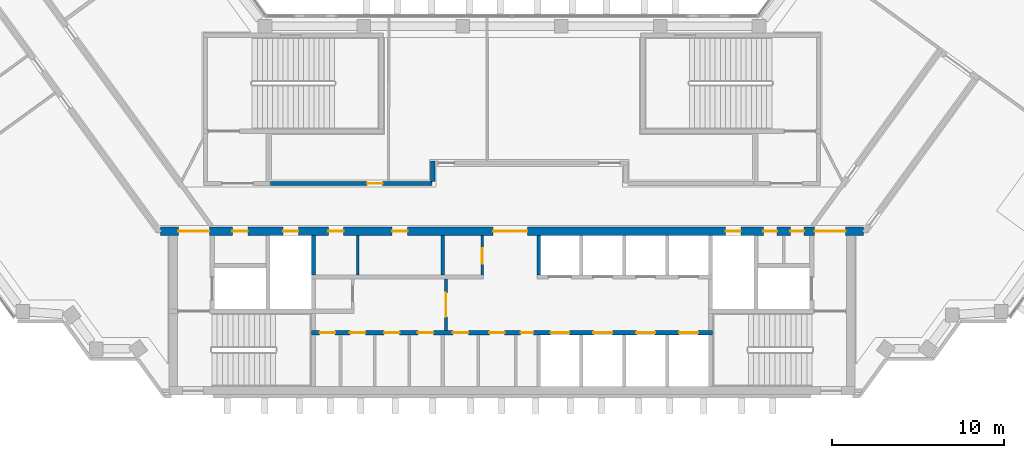
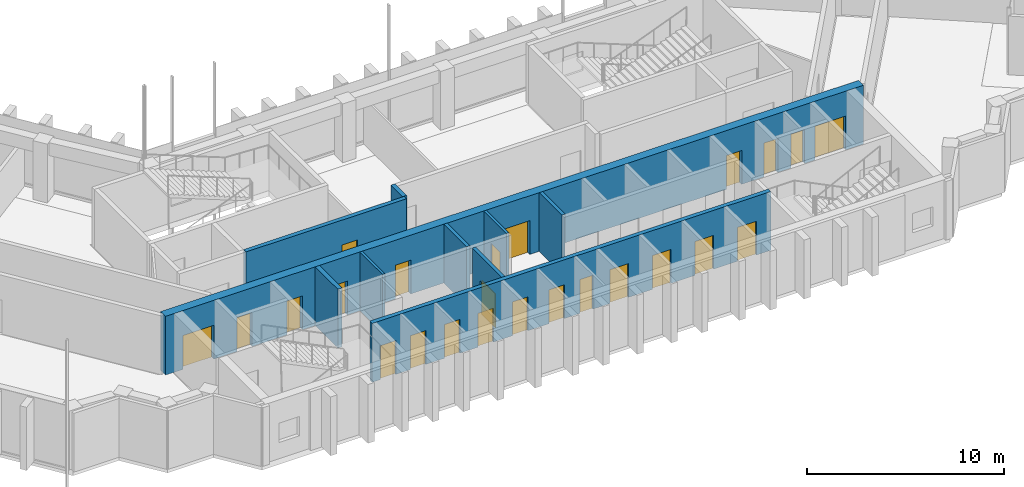
# One storey, part 9 of 14: 24 doors, 10 walls, 24 openings.
"""IFC4 building model written with IfcOpenShell, lengths in metres."""

import ifcopenshell
import ifcopenshell.guid

model = None  # the IFC model being written
_history = None  # IfcOwnerHistory: only IFC2X3 demands one
_inside = {}  # id of a spatial element -> (the spatial element, [elements in it])
_under = {}  # id of a project, library or spatial element -> (it, [spatial elements below it])
_declared = {}  # id of a project -> (the project, [libraries it declares])
_typed = {}  # id of a type object -> (the type object, [elements of that type])
_made_of = {}  # id of a material, layer set ... -> (it, [elements and type objects made of it])


def new_model(schema):
    """Start an empty IFC model of exactly this schema.

    Asked for "IFC4X3", IfcOpenShell would pick the latest addendum, in which some entities
    have other attributes; the version numbers below select the first issue.
    IFC2X3 requires an IfcOwnerHistory on every rooted entity: one is made here for all.
    """
    global model, _history
    if schema == "IFC4X3":
        model = ifcopenshell.file(schema_version=(4, 3, 0, 0))
    else:
        model = ifcopenshell.file(schema=schema)
    _inside.clear()
    _under.clear()
    _declared.clear()
    _typed.clear()
    _made_of.clear()
    _history = None
    if model.schema == "IFC2X3":
        org = make("IfcOrganization", Name="unknown")
        user = make(
            "IfcPersonAndOrganization",
            ThePerson=make("IfcPerson", FamilyName="unknown"),
            TheOrganization=org,
        )
        app = make(
            "IfcApplication",
            ApplicationDeveloper=org,
            Version="unknown",
            ApplicationFullName="unknown",
            ApplicationIdentifier="unknown",
        )
        _history = make(
            "IfcOwnerHistory",
            OwningUser=user,
            OwningApplication=app,
            ChangeAction="ADDED",
            CreationDate=0,
        )
    return model


def make(cls, **values):
    """One entity of the class cls with the attributes given. An attribute that is None is left unset."""
    return model.create_entity(
        cls, **{name: value for name, value in values.items() if value is not None}
    )


def rooted(cls, **values):
    """An entity with a GlobalId (a new one), such as an element, a storey or a relation."""
    return make(cls, GlobalId=ifcopenshell.guid.new(), OwnerHistory=_history, **values)


def si_unit(unit_type, name, prefix=None):
    """IfcSIUnit, for example si_unit("LENGTHUNIT", "METRE", prefix="MILLI")."""
    return make("IfcSIUnit", UnitType=unit_type, Prefix=prefix, Name=name)


def assignment(units):
    """IfcUnitAssignment: the units of a project."""
    return None if units is None else make("IfcUnitAssignment", Units=units)


def point(xyz):
    """IfcCartesianPoint."""
    return None if xyz is None else make("IfcCartesianPoint", Coordinates=xyz)


def direction(xyz):
    """IfcDirection."""
    return None if xyz is None else make("IfcDirection", DirectionRatios=xyz)


def frame(location, z_axis=None, x_axis=None):
    """IfcAxis2Placement3D, a coordinate frame: its origin and axes. An axis left out is left unset."""
    return make(
        "IfcAxis2Placement3D",
        Location=point(location),
        Axis=direction(z_axis),
        RefDirection=direction(x_axis),
    )


def frame_2d(location, x_axis=None):
    """IfcAxis2Placement2D, a coordinate frame in the plane: its origin and x axis."""
    return make(
        "IfcAxis2Placement2D", Location=point(location), RefDirection=direction(x_axis)
    )


def origin():
    """The frame at (0, 0, 0) with its axes left unset."""
    return frame((0.0, 0.0, 0.0))


def place(relative_to, where):
    """IfcLocalPlacement: puts the frame where relative to a parent placement (None: the world)."""
    return make(
        "IfcLocalPlacement", PlacementRelTo=relative_to, RelativePlacement=where
    )


def context(
    kind, dimensions, precision=None, world=None, true_north=None, identifier=None
):
    """IfcGeometricRepresentationContext, for example the 3D "Model" context."""
    return make(
        "IfcGeometricRepresentationContext",
        ContextIdentifier=identifier,
        ContextType=kind,
        CoordinateSpaceDimension=dimensions,
        Precision=precision,
        WorldCoordinateSystem=world,
        TrueNorth=true_north,
    )


def subcontext(parent, identifier, kind, view, scale=None):
    """IfcGeometricRepresentationSubContext, for example "Body" below "Model"."""
    return make(
        "IfcGeometricRepresentationSubContext",
        ContextIdentifier=identifier,
        ContextType=kind,
        ParentContext=parent,
        TargetScale=scale,
        TargetView=view,
    )


def project(units=None, contexts=None):
    """IfcProject with its units and contexts."""
    return rooted(
        "IfcProject",
        Name="project",
        RepresentationContexts=contexts,
        UnitsInContext=assignment(units),
    )


def spatial(cls, under=None, at=None, **own):
    """A site, building, storey or space (cls), placed at a placement, below another one or the project."""
    s = rooted(cls, ObjectPlacement=at, **own)
    if under is not None:
        _under.setdefault(under.id(), (under, []))[1].append(s)
    return s


def profile(cls, at=None, kind="AREA", **sizes):
    """A parametric profile (cls). Its sizes go by their IFC names, for example OverallWidth=200.0."""
    return make(cls, ProfileType=kind, Position=at, **sizes)


def rectangle(**sizes):
    """IfcRectangleProfileDef."""
    return profile("IfcRectangleProfileDef", **sizes)


def extrude(swept, where, along, depth):
    """IfcExtrudedAreaSolid: the profile swept, set in the frame where, extruded along a direction by depth."""
    return make(
        "IfcExtrudedAreaSolid",
        SweptArea=swept,
        Position=where,
        ExtrudedDirection=direction(along),
        Depth=depth,
    )


def shape(context_of_items, identifier, shape_type, items):
    """IfcShapeRepresentation: the items that make up one representation, for example the "Body"."""
    return make(
        "IfcShapeRepresentation",
        ContextOfItems=context_of_items,
        RepresentationIdentifier=identifier,
        RepresentationType=shape_type,
        Items=items,
    )


def material(Name=None, Category=None):
    """IfcMaterial."""
    return make("IfcMaterial", Name=Name, Category=Category)


def layer(
    of_material, thickness, ventilated=None, Name=None, Category=None, Priority=None
):
    """IfcMaterialLayer: one layer of a wall or slab, of a material (None: an air gap)."""
    return make(
        "IfcMaterialLayer",
        Material=of_material,
        LayerThickness=thickness,
        IsVentilated=ventilated,
        Name=Name,
        Category=Category,
        Priority=Priority,
    )


def layer_set(layers, Name=None):
    """IfcMaterialLayerSet."""
    return make("IfcMaterialLayerSet", MaterialLayers=layers, LayerSetName=Name)


def made_of(thing, what):
    """Note that an element or type object is made of a material, layer set ...; save() writes the relation."""
    if what is not None:
        _made_of.setdefault(what.id(), (what, []))[1].append(thing)
    return thing


def type_object(cls, material=None, **own):
    """A type object (cls), such as IfcWallType, which elements share."""
    return made_of(rooted(cls, **own), material)


def element(
    cls,
    number,
    at=None,
    inside=None,
    cuts=None,
    type_object=None,
    material=None,
    context=None,
    identifier="Body",
    shape_type=None,
    held_by="IfcProductDefinitionShape",
    body=None,
    shapes=None,
    **own,
):
    """One element of the class cls, such as IfcWall. Its Tag is "e" and its number.

    at: its placement. inside: the storey or other place that contains it. cuts: it is an
    opening in that element (IfcRelVoidsElement). A single representation is given by context,
    identifier, shape_type and body (its items); several are given by shapes. held_by: the class
    of the entity that holds the representations. save() writes the other relations.
    """
    e = rooted(cls, Tag="e%d" % number, ObjectPlacement=at, **own)
    if body is not None:
        shapes = [shape(context, identifier, shape_type, body)]
    if shapes is not None:
        e.Representation = make(held_by, Representations=shapes)
    if inside is not None:
        _inside.setdefault(inside.id(), (inside, []))[1].append(e)
    if cuts is not None:
        rooted(
            "IfcRelVoidsElement", RelatingBuildingElement=cuts, RelatedOpeningElement=e
        )
    if type_object is not None:
        _typed.setdefault(type_object.id(), (type_object, []))[1].append(e)
    return made_of(e, material)


def fill(opening, filler):
    """IfcRelFillsElement: the door or window that sits in an opening."""
    return rooted(
        "IfcRelFillsElement",
        RelatingOpeningElement=opening,
        RelatedBuildingElement=filler,
    )


def aggregate(whole, parts):
    """IfcRelAggregates: a whole, such as a stair, and the parts it consists of."""
    return rooted("IfcRelAggregates", RelatingObject=whole, RelatedObjects=parts)


def save(model, path):
    """Write the relations noted so far, then the file.

    IfcRelAggregates (storeys below a building ...), IfcRelContainedInSpatialStructure (elements
    in a storey), IfcRelDefinesByType, IfcRelAssociatesMaterial and IfcRelDeclares: one each for
    every whole, place, type object, material and project.
    """
    for whole, parts in _under.values():
        aggregate(whole, parts)
    for where, things in _inside.values():
        rooted(
            "IfcRelContainedInSpatialStructure",
            RelatedElements=things,
            RelatingStructure=where,
        )
    for kind, things in _typed.values():
        rooted("IfcRelDefinesByType", RelatedObjects=things, RelatingType=kind)
    for what, things in _made_of.values():
        rooted("IfcRelAssociatesMaterial", RelatedObjects=things, RelatingMaterial=what)
    for by, libraries in _declared.values():
        rooted("IfcRelDeclares", RelatingContext=by, RelatedDefinitions=libraries)
    model.write(path)


model = new_model("IFC4")

# Units and contexts
model_context = context("Model", 3, precision=1e-05, world=origin(), true_north=direction((0.0, 1.0)))
body_context = subcontext(model_context, "Body", "Model", "MODEL_VIEW")
ifc_project = project(units=[si_unit("LENGTHUNIT", "METRE"), si_unit("AREAUNIT", "SQUARE_METRE"), si_unit("VOLUMEUNIT", "CUBIC_METRE"), si_unit("PLANEANGLEUNIT", "RADIAN"), si_unit("MASSUNIT", "GRAM", prefix="KILO")], contexts=[model_context])

# Site, building, storey
site_placement = place(None, origin())
site = spatial("IfcSite", under=ifc_project, at=site_placement, CompositionType="ELEMENT")
building_placement = place(site_placement, origin())
building = spatial("IfcBuilding", under=site, at=building_placement, Name="Quipu Civic Tower", CompositionType="ELEMENT")
storey_placement = place(building_placement, frame((0.0, 0.0, 198.0)))
storey = spatial("IfcBuildingStorey", under=building, at=storey_placement, Name="L46", CompositionType="ELEMENT", Elevation=198.0)

# Wall, openings, doors
ifc_material_1 = material(Name="Concrete C70/85", Category="concrete")
ifc_layer_1 = layer(ifc_material_1, 0.25)
ifc_layer_set_1 = layer_set([ifc_layer_1], Name="Concrete C70/85")
wall_type_1 = type_object("IfcWallType", Name="Core wall 250", PredefinedType="SHEAR", material=ifc_layer_set_1)
wall_1_placement = place(storey_placement, frame((11.699951171875, -7.375, 0.0), z_axis=(0.0, 0.0, 1.0), x_axis=(-1.0, 0.0, 0.0)))
wall_1 = element("IfcWall", 1, at=wall_1_placement, inside=storey, type_object=wall_type_1, Name="Core wall", PredefinedType="SHEAR", context=body_context, shape_type="SweptSolid", body=[
    extrude(rectangle(XDim=23.39990234375, YDim=0.25, at=frame_2d((11.699951171875, 0.0))), origin(), (0.0, 0.0, 1.0), 3.64990234375),
])
opening_1_placement = place(wall_1_placement, frame((22.011962890625, 0.0, 0.0)))
opening_1 = element("IfcOpeningElement", 2, at=opening_1_placement, cuts=wall_1, Name="Opening CD-01", PredefinedType="OPENING", context=body_context, shape_type="SweptSolid", body=[
    extrude(rectangle(XDim=0.89990234375, YDim=2.10009765625, at=frame_2d((0.449951171875, 1.050048828125))), frame((0.0, 0.135009765625, 0.0), z_axis=(0.0, -1.0, 0.0), x_axis=(1.0, 0.0, 0.0)), (0.0, 0.0, 1.0), 0.27001953125),
])
opening_2_placement = place(wall_1_placement, frame((20.25, 0.0, 0.0)))
opening_2 = element("IfcOpeningElement", 3, at=opening_2_placement, cuts=wall_1, Name="Opening CD-02", PredefinedType="OPENING", context=body_context, shape_type="SweptSolid", body=[
    extrude(rectangle(XDim=0.89990234375, YDim=2.10009765625, at=frame_2d((0.449951171875, 1.050048828125))), frame((0.0, 0.135009765625, 0.0), z_axis=(0.0, -1.0, 0.0), x_axis=(1.0, 0.0, 0.0)), (0.0, 0.0, 1.0), 0.27001953125),
])
opening_3_placement = place(wall_1_placement, frame((18.25, 0.0, 0.0)))
opening_3 = element("IfcOpeningElement", 4, at=opening_3_placement, cuts=wall_1, Name="Opening CD-03", PredefinedType="OPENING", context=body_context, shape_type="SweptSolid", body=[
    extrude(rectangle(XDim=0.89990234375, YDim=2.10009765625, at=frame_2d((0.449951171875, 1.050048828125))), frame((0.0, 0.135009765625, 0.0), z_axis=(0.0, -1.0, 0.0), x_axis=(1.0, 0.0, 0.0)), (0.0, 0.0, 1.0), 0.27001953125),
])
opening_4_placement = place(wall_1_placement, frame((16.287109375, 0.0, 0.0)))
opening_4 = element("IfcOpeningElement", 5, at=opening_4_placement, cuts=wall_1, Name="Opening CD-04", PredefinedType="OPENING", context=body_context, shape_type="SweptSolid", body=[
    extrude(rectangle(XDim=0.89990234375, YDim=2.10009765625, at=frame_2d((0.449951171875, 1.050048828125))), frame((0.0, 0.135009765625, 0.0), z_axis=(0.0, -1.0, 0.0), x_axis=(1.0, 0.0, 0.0)), (0.0, 0.0, 1.0), 0.27001953125),
])
opening_5_placement = place(wall_1_placement, frame((14.25, 0.0, 0.0)))
opening_5 = element("IfcOpeningElement", 6, at=opening_5_placement, cuts=wall_1, Name="Opening CD-05", PredefinedType="OPENING", context=body_context, shape_type="SweptSolid", body=[
    extrude(rectangle(XDim=0.89990234375, YDim=2.10009765625, at=frame_2d((0.449951171875, 1.050048828125))), frame((0.0, 0.135009765625, 0.0), z_axis=(0.0, -1.0, 0.0), x_axis=(1.0, 0.0, 0.0)), (0.0, 0.0, 1.0), 0.27001953125),
])
opening_6_placement = place(wall_1_placement, frame((12.125, 0.0, 0.0)))
opening_6 = element("IfcOpeningElement", 7, at=opening_6_placement, cuts=wall_1, Name="Opening CD-06", PredefinedType="OPENING", context=body_context, shape_type="SweptSolid", body=[
    extrude(rectangle(XDim=0.89990234375, YDim=2.10009765625, at=frame_2d((0.449951171875, 1.050048828125))), frame((0.0, 0.135009765625, 0.0), z_axis=(0.0, -1.0, 0.0), x_axis=(1.0, 0.0, 0.0)), (0.0, 0.0, 1.0), 0.27001953125),
])
opening_7_placement = place(wall_1_placement, frame((10.449951171875, 0.0, 0.0)))
opening_7 = element("IfcOpeningElement", 8, at=opening_7_placement, cuts=wall_1, Name="Opening CD-07", PredefinedType="OPENING", context=body_context, shape_type="SweptSolid", body=[
    extrude(rectangle(XDim=0.75, YDim=2.10009765625, at=frame_2d((0.375, 1.050048828125))), frame((0.0, 0.135009765625, 0.0), z_axis=(0.0, -1.0, 0.0), x_axis=(1.0, 0.0, 0.0)), (0.0, 0.0, 1.0), 0.27001953125),
])
opening_8_placement = place(wall_1_placement, frame((8.35009765625, 0.0, 0.0)))
opening_8 = element("IfcOpeningElement", 9, at=opening_8_placement, cuts=wall_1, Name="Opening LD-ML1", PredefinedType="OPENING", context=body_context, shape_type="SweptSolid", body=[
    extrude(rectangle(XDim=1.10009765625, YDim=2.10009765625, at=frame_2d((0.550048828125, 1.050048828125))), frame((0.0, 0.135009765625, 0.0), z_axis=(0.0, -1.0, 0.0), x_axis=(1.0, 0.0, 0.0)), (0.0, 0.0, 1.0), 0.27001953125),
])
opening_9_placement = place(wall_1_placement, frame((5.85009765625, 0.0, 0.0)))
opening_9 = element("IfcOpeningElement", 10, at=opening_9_placement, cuts=wall_1, Name="Opening LD-ML2", PredefinedType="OPENING", context=body_context, shape_type="SweptSolid", body=[
    extrude(rectangle(XDim=1.10009765625, YDim=2.10009765625, at=frame_2d((0.550048828125, 1.050048828125))), frame((0.0, 0.135009765625, 0.0), z_axis=(0.0, -1.0, 0.0), x_axis=(1.0, 0.0, 0.0)), (0.0, 0.0, 1.0), 0.27001953125),
])
opening_10_placement = place(wall_1_placement, frame((3.35009765625, 0.0, 0.0)))
opening_10 = element("IfcOpeningElement", 11, at=opening_10_placement, cuts=wall_1, Name="Opening LD-ML3", PredefinedType="OPENING", context=body_context, shape_type="SweptSolid", body=[
    extrude(rectangle(XDim=1.10009765625, YDim=2.10009765625, at=frame_2d((0.550048828125, 1.050048828125))), frame((0.0, 0.135009765625, 0.0), z_axis=(0.0, -1.0, 0.0), x_axis=(1.0, 0.0, 0.0)), (0.0, 0.0, 1.0), 0.27001953125),
])
opening_11_placement = place(wall_1_placement, frame((0.85009765625, 0.0, 0.0)))
opening_11 = element("IfcOpeningElement", 12, at=opening_11_placement, cuts=wall_1, Name="Opening LD-ML4", PredefinedType="OPENING", context=body_context, shape_type="SweptSolid", body=[
    extrude(rectangle(XDim=1.10009765625, YDim=2.10009765625, at=frame_2d((0.550048828125, 1.050048828125))), frame((0.0, 0.135009765625, 0.0), z_axis=(0.0, -1.0, 0.0), x_axis=(1.0, 0.0, 0.0)), (0.0, 0.0, 1.0), 0.27001953125),
])
ifc_material_2 = material(Name="Fire rated steel door", Category="steel")
door_type_1 = type_object("IfcDoorType", Name="Fire door FD60 750 x 2100", OperationType="NOTDEFINED", PredefinedType="DOOR", material=ifc_material_2)
door_1_placement = place(opening_7_placement, origin())
door_1 = element("IfcDoor", 13, at=door_1_placement, inside=storey, type_object=door_type_1, Name="Door", OperationType="SINGLE_SWING_LEFT", OverallHeight=2.10009765625, OverallWidth=0.75, PredefinedType="DOOR", context=body_context, shape_type="SweptSolid", body=[
    extrude(rectangle(XDim=0.75, YDim=2.10009765625, at=frame_2d((0.375, 1.050048828125))), frame((0.0, 0.02490234375, 0.0), z_axis=(0.0, -1.0, 0.0), x_axis=(1.0, 0.0, 0.0)), (0.0, 0.0, 1.0), 0.050048828125),
])
fill(opening_7, door_1)
ifc_material_3 = material(Name="Fire rated steel door", Category="steel")
door_type_2 = type_object("IfcDoorType", Name="Fire door FD60 900 x 2100", OperationType="NOTDEFINED", PredefinedType="DOOR", material=ifc_material_3)
door_2_placement = place(opening_1_placement, origin())
door_2 = element("IfcDoor", 14, at=door_2_placement, inside=storey, type_object=door_type_2, Name="Door", OperationType="SINGLE_SWING_RIGHT", OverallHeight=2.10009765625, OverallWidth=0.89990234375, PredefinedType="DOOR", context=body_context, shape_type="SweptSolid", body=[
    extrude(rectangle(XDim=0.89990234375, YDim=2.10009765625, at=frame_2d((0.449951171875, 1.050048828125))), frame((0.0, 0.02490234375, 0.0), z_axis=(0.0, -1.0, 0.0), x_axis=(1.0, 0.0, 0.0)), (0.0, 0.0, 1.0), 0.050048828125),
])
fill(opening_1, door_2)
door_3_placement = place(opening_2_placement, origin())
door_3 = element("IfcDoor", 15, at=door_3_placement, inside=storey, type_object=door_type_2, Name="Door", OperationType="SINGLE_SWING_RIGHT", OverallHeight=2.10009765625, OverallWidth=0.89990234375, PredefinedType="DOOR", context=body_context, shape_type="SweptSolid", body=[
    extrude(rectangle(XDim=0.89990234375, YDim=2.10009765625, at=frame_2d((0.449951171875, 1.050048828125))), frame((0.0, 0.02490234375, 0.0), z_axis=(0.0, -1.0, 0.0), x_axis=(1.0, 0.0, 0.0)), (0.0, 0.0, 1.0), 0.050048828125),
])
fill(opening_2, door_3)
door_4_placement = place(opening_3_placement, origin())
door_4 = element("IfcDoor", 16, at=door_4_placement, inside=storey, type_object=door_type_2, Name="Door", OperationType="SINGLE_SWING_RIGHT", OverallHeight=2.10009765625, OverallWidth=0.89990234375, PredefinedType="DOOR", context=body_context, shape_type="SweptSolid", body=[
    extrude(rectangle(XDim=0.89990234375, YDim=2.10009765625, at=frame_2d((0.449951171875, 1.050048828125))), frame((0.0, 0.02490234375, 0.0), z_axis=(0.0, -1.0, 0.0), x_axis=(1.0, 0.0, 0.0)), (0.0, 0.0, 1.0), 0.050048828125),
])
fill(opening_3, door_4)
door_5_placement = place(opening_4_placement, origin())
door_5 = element("IfcDoor", 17, at=door_5_placement, inside=storey, type_object=door_type_2, Name="Door", OperationType="SINGLE_SWING_RIGHT", OverallHeight=2.10009765625, OverallWidth=0.89990234375, PredefinedType="DOOR", context=body_context, shape_type="SweptSolid", body=[
    extrude(rectangle(XDim=0.89990234375, YDim=2.10009765625, at=frame_2d((0.449951171875, 1.050048828125))), frame((0.0, 0.02490234375, 0.0), z_axis=(0.0, -1.0, 0.0), x_axis=(1.0, 0.0, 0.0)), (0.0, 0.0, 1.0), 0.050048828125),
])
fill(opening_4, door_5)
door_6_placement = place(opening_5_placement, origin())
door_6 = element("IfcDoor", 18, at=door_6_placement, inside=storey, type_object=door_type_2, Name="WC door", OperationType="SINGLE_SWING_RIGHT", OverallHeight=2.10009765625, OverallWidth=0.89990234375, PredefinedType="DOOR", context=body_context, shape_type="SweptSolid", body=[
    extrude(rectangle(XDim=0.89990234375, YDim=2.10009765625, at=frame_2d((0.449951171875, 1.050048828125))), frame((0.0, 0.02490234375, 0.0), z_axis=(0.0, -1.0, 0.0), x_axis=(1.0, 0.0, 0.0)), (0.0, 0.0, 1.0), 0.050048828125),
])
fill(opening_5, door_6)
door_7_placement = place(opening_6_placement, origin())
door_7 = element("IfcDoor", 19, at=door_7_placement, inside=storey, type_object=door_type_2, Name="WC door", OperationType="SINGLE_SWING_RIGHT", OverallHeight=2.10009765625, OverallWidth=0.89990234375, PredefinedType="DOOR", context=body_context, shape_type="SweptSolid", body=[
    extrude(rectangle(XDim=0.89990234375, YDim=2.10009765625, at=frame_2d((0.449951171875, 1.050048828125))), frame((0.0, 0.02490234375, 0.0), z_axis=(0.0, -1.0, 0.0), x_axis=(1.0, 0.0, 0.0)), (0.0, 0.0, 1.0), 0.050048828125),
])
fill(opening_6, door_7)
ifc_material_4 = material(Name="Stainless steel", Category="steel")
door_type_3 = type_object("IfcDoorType", Name="Lift landing door 1100 x 2100", OperationType="DOUBLE_DOOR_SLIDING", PredefinedType="DOOR", material=ifc_material_4)
door_8_placement = place(opening_8_placement, origin())
door_8 = element("IfcDoor", 20, at=door_8_placement, inside=storey, type_object=door_type_3, Name="Landing door ML1", OperationType="DOUBLE_DOOR_SLIDING", OverallHeight=2.10009765625, OverallWidth=1.10009765625, PredefinedType="DOOR", context=body_context, shape_type="SweptSolid", body=[
    extrude(rectangle(XDim=1.10009765625, YDim=2.10009765625, at=frame_2d((0.550048828125, 1.050048828125))), frame((0.0, 0.02490234375, 0.0), z_axis=(0.0, -1.0, 0.0), x_axis=(1.0, 0.0, 0.0)), (0.0, 0.0, 1.0), 0.050048828125),
])
fill(opening_8, door_8)
door_9_placement = place(opening_9_placement, origin())
door_9 = element("IfcDoor", 21, at=door_9_placement, inside=storey, type_object=door_type_3, Name="Landing door ML2", OperationType="DOUBLE_DOOR_SLIDING", OverallHeight=2.10009765625, OverallWidth=1.10009765625, PredefinedType="DOOR", context=body_context, shape_type="SweptSolid", body=[
    extrude(rectangle(XDim=1.10009765625, YDim=2.10009765625, at=frame_2d((0.550048828125, 1.050048828125))), frame((0.0, 0.02490234375, 0.0), z_axis=(0.0, -1.0, 0.0), x_axis=(1.0, 0.0, 0.0)), (0.0, 0.0, 1.0), 0.050048828125),
])
fill(opening_9, door_9)
door_10_placement = place(opening_10_placement, origin())
door_10 = element("IfcDoor", 22, at=door_10_placement, inside=storey, type_object=door_type_3, Name="Landing door ML3", OperationType="DOUBLE_DOOR_SLIDING", OverallHeight=2.10009765625, OverallWidth=1.10009765625, PredefinedType="DOOR", context=body_context, shape_type="SweptSolid", body=[
    extrude(rectangle(XDim=1.10009765625, YDim=2.10009765625, at=frame_2d((0.550048828125, 1.050048828125))), frame((0.0, 0.02490234375, 0.0), z_axis=(0.0, -1.0, 0.0), x_axis=(1.0, 0.0, 0.0)), (0.0, 0.0, 1.0), 0.050048828125),
])
fill(opening_10, door_10)
door_11_placement = place(opening_11_placement, origin())
door_11 = element("IfcDoor", 23, at=door_11_placement, inside=storey, type_object=door_type_3, Name="Landing door ML4", OperationType="DOUBLE_DOOR_SLIDING", OverallHeight=2.10009765625, OverallWidth=1.10009765625, PredefinedType="DOOR", context=body_context, shape_type="SweptSolid", body=[
    extrude(rectangle(XDim=1.10009765625, YDim=2.10009765625, at=frame_2d((0.550048828125, 1.050048828125))), frame((0.0, 0.02490234375, 0.0), z_axis=(0.0, -1.0, 0.0), x_axis=(1.0, 0.0, 0.0)), (0.0, 0.0, 1.0), 0.050048828125),
])
fill(opening_11, door_11)

# Wall
wall_2_placement = place(storey_placement, frame((-11.574951171875, -4.0, 0.0), z_axis=(0.0, 0.0, 1.0), x_axis=(0.0, 1.0, 0.0)))
element("IfcWall", 24, at=wall_2_placement, inside=storey, type_object=wall_type_1, Name="Core wall", PredefinedType="SHEAR", context=body_context, shape_type="SweptSolid", body=[
    extrude(rectangle(XDim=2.300048828125, YDim=0.25, at=frame_2d((1.14990234375, 0.0))), origin(), (0.0, 0.0, 1.0), 3.64990234375),
])

# Wall, openings, doors
ifc_material_5 = material(Name="Concrete C70/85", Category="concrete")
ifc_layer_2 = layer(ifc_material_5, 0.5)
ifc_layer_set_2 = layer_set([ifc_layer_2], Name="Concrete C70/85")
wall_type_2 = type_object("IfcWallType", Name="Core wall 500", PredefinedType="SHEAR", material=ifc_layer_set_2)
wall_3_placement = place(storey_placement, frame((20.489990234375, -1.449951171875, 0.0), z_axis=(0.0, 0.0, 1.0), x_axis=(-1.0, 0.0, 0.0)))
wall_3 = element("IfcWall", 25, at=wall_3_placement, inside=storey, type_object=wall_type_2, Name="Core wall", PredefinedType="SHEAR", context=body_context, shape_type="SweptSolid", body=[
    extrude(rectangle(XDim=40.97998046875, YDim=0.5, at=frame_2d((20.489990234375, 0.0))), origin(), (0.0, 0.0, 1.0), 3.64990234375),
])
opening_12_placement = place(wall_3_placement, frame((38.139892578125, 0.0, 0.0)))
opening_12 = element("IfcOpeningElement", 26, at=opening_12_placement, cuts=wall_3, Name="Opening CD-13", PredefinedType="OPENING", context=body_context, shape_type="SweptSolid", body=[
    extrude(rectangle(XDim=1.800048828125, YDim=2.10009765625, at=frame_2d((0.89990234375, 1.050048828125))), frame((0.0, 0.260009765625, 0.0), z_axis=(0.0, -1.0, 0.0), x_axis=(1.0, 0.0, 0.0)), (0.0, 0.0, 1.0), 0.52001953125),
])
opening_13_placement = place(wall_3_placement, frame((35.889892578125, 0.0, 0.0)))
opening_13 = element("IfcOpeningElement", 27, at=opening_13_placement, cuts=wall_3, Name="Opening CD-14", PredefinedType="OPENING", context=body_context, shape_type="SweptSolid", body=[
    extrude(rectangle(XDim=0.89990234375, YDim=2.10009765625, at=frame_2d((0.449951171875, 1.050048828125))), frame((0.0, 0.260009765625, 0.0), z_axis=(0.0, -1.0, 0.0), x_axis=(1.0, 0.0, 0.0)), (0.0, 0.0, 1.0), 0.52001953125),
])
opening_14_placement = place(wall_3_placement, frame((32.93994140625, 0.0, 0.0)))
opening_14 = element("IfcOpeningElement", 28, at=opening_14_placement, cuts=wall_3, Name="Opening CD-15", PredefinedType="OPENING", context=body_context, shape_type="SweptSolid", body=[
    extrude(rectangle(XDim=0.89990234375, YDim=2.10009765625, at=frame_2d((0.449951171875, 1.050048828125))), frame((0.0, 0.260009765625, 0.0), z_axis=(0.0, -1.0, 0.0), x_axis=(1.0, 0.0, 0.0)), (0.0, 0.0, 1.0), 0.52001953125),
])
opening_15_placement = place(wall_3_placement, frame((30.302490234375, 0.0, 0.0)))
opening_15 = element("IfcOpeningElement", 29, at=opening_15_placement, cuts=wall_3, Name="Opening CD-16", PredefinedType="OPENING", context=body_context, shape_type="SweptSolid", body=[
    extrude(rectangle(XDim=0.89990234375, YDim=2.10009765625, at=frame_2d((0.449951171875, 1.050048828125))), frame((0.0, 0.260009765625, 0.0), z_axis=(0.0, -1.0, 0.0), x_axis=(1.0, 0.0, 0.0)), (0.0, 0.0, 1.0), 0.52001953125),
])
opening_16_placement = place(wall_3_placement, frame((26.577392578125, 0.0, 0.0)))
opening_16 = element("IfcOpeningElement", 30, at=opening_16_placement, cuts=wall_3, Name="Opening CD-17", PredefinedType="OPENING", context=body_context, shape_type="SweptSolid", body=[
    extrude(rectangle(XDim=0.89990234375, YDim=2.10009765625, at=frame_2d((0.449951171875, 1.050048828125))), frame((0.0, 0.260009765625, 0.0), z_axis=(0.0, -1.0, 0.0), x_axis=(1.0, 0.0, 0.0)), (0.0, 0.0, 1.0), 0.52001953125),
])
opening_17_placement = place(wall_3_placement, frame((19.590087890625, 0.0, 0.0)))
opening_17 = element("IfcOpeningElement", 31, at=opening_17_placement, cuts=wall_3, Name="Opening CD-18", PredefinedType="OPENING", context=body_context, shape_type="SweptSolid", body=[
    extrude(rectangle(XDim=2.0, YDim=2.10009765625, at=frame_2d((1.0, 1.050048828125))), frame((0.0, 0.260009765625, 0.0), z_axis=(0.0, -1.0, 0.0), x_axis=(1.0, 0.0, 0.0)), (0.0, 0.0, 1.0), 0.52001953125),
])
opening_18_placement = place(wall_3_placement, frame((7.139892578125, 0.0, 0.0)))
opening_18 = element("IfcOpeningElement", 32, at=opening_18_placement, cuts=wall_3, Name="Opening CD-19", PredefinedType="OPENING", context=body_context, shape_type="SweptSolid", body=[
    extrude(rectangle(XDim=0.89990234375, YDim=2.10009765625, at=frame_2d((0.449951171875, 1.050048828125))), frame((0.0, 0.260009765625, 0.0), z_axis=(0.0, -1.0, 0.0), x_axis=(1.0, 0.0, 0.0)), (0.0, 0.0, 1.0), 0.52001953125),
])
opening_19_placement = place(wall_3_placement, frame((5.027587890625, 0.0, 0.0)))
opening_19 = element("IfcOpeningElement", 33, at=opening_19_placement, cuts=wall_3, Name="Opening CD-20", PredefinedType="OPENING", context=body_context, shape_type="SweptSolid", body=[
    extrude(rectangle(XDim=0.800048828125, YDim=2.10009765625, at=frame_2d((0.39990234375, 1.050048828125))), frame((0.0, 0.260009765625, 0.0), z_axis=(0.0, -1.0, 0.0), x_axis=(1.0, 0.0, 0.0)), (0.0, 0.0, 1.0), 0.52001953125),
])
opening_20_placement = place(wall_3_placement, frame((3.452392578125, 0.0, 0.0)))
opening_20 = element("IfcOpeningElement", 34, at=opening_20_placement, cuts=wall_3, Name="Opening CD-21", PredefinedType="OPENING", context=body_context, shape_type="SweptSolid", body=[
    extrude(rectangle(XDim=0.800048828125, YDim=2.10009765625, at=frame_2d((0.39990234375, 1.050048828125))), frame((0.0, 0.260009765625, 0.0), z_axis=(0.0, -1.0, 0.0), x_axis=(1.0, 0.0, 0.0)), (0.0, 0.0, 1.0), 0.52001953125),
])
opening_21_placement = place(wall_3_placement, frame((1.0400390625, 0.0, 0.0)))
opening_21 = element("IfcOpeningElement", 35, at=opening_21_placement, cuts=wall_3, Name="Opening CD-22", PredefinedType="OPENING", context=body_context, shape_type="SweptSolid", body=[
    extrude(rectangle(XDim=1.800048828125, YDim=2.10009765625, at=frame_2d((0.89990234375, 1.050048828125))), frame((0.0, 0.260009765625, 0.0), z_axis=(0.0, -1.0, 0.0), x_axis=(1.0, 0.0, 0.0)), (0.0, 0.0, 1.0), 0.52001953125),
])
ifc_material_6 = material(Name="Fire rated steel door", Category="steel")
door_type_4 = type_object("IfcDoorType", Name="Fire door FD60 800 x 2100", OperationType="NOTDEFINED", PredefinedType="DOOR", material=ifc_material_6)
door_12_placement = place(opening_19_placement, origin())
door_12 = element("IfcDoor", 36, at=door_12_placement, inside=storey, type_object=door_type_4, Name="Door", OperationType="SINGLE_SWING_LEFT", OverallHeight=2.10009765625, OverallWidth=0.800048828125, PredefinedType="DOOR", context=body_context, shape_type="SweptSolid", body=[
    extrude(rectangle(XDim=0.800048828125, YDim=2.10009765625, at=frame_2d((0.39990234375, 1.050048828125))), frame((0.0, 0.02490234375, 0.0), z_axis=(0.0, -1.0, 0.0), x_axis=(1.0, 0.0, 0.0)), (0.0, 0.0, 1.0), 0.050048828125),
])
fill(opening_19, door_12)
door_13_placement = place(opening_20_placement, origin())
door_13 = element("IfcDoor", 37, at=door_13_placement, inside=storey, type_object=door_type_4, Name="Door", OperationType="SINGLE_SWING_LEFT", OverallHeight=2.10009765625, OverallWidth=0.800048828125, PredefinedType="DOOR", context=body_context, shape_type="SweptSolid", body=[
    extrude(rectangle(XDim=0.800048828125, YDim=2.10009765625, at=frame_2d((0.39990234375, 1.050048828125))), frame((0.0, 0.02490234375, 0.0), z_axis=(0.0, -1.0, 0.0), x_axis=(1.0, 0.0, 0.0)), (0.0, 0.0, 1.0), 0.050048828125),
])
fill(opening_20, door_13)
door_14_placement = place(opening_13_placement, origin())
door_14 = element("IfcDoor", 38, at=door_14_placement, inside=storey, type_object=door_type_2, Name="Door", OperationType="SINGLE_SWING_RIGHT", OverallHeight=2.10009765625, OverallWidth=0.89990234375, PredefinedType="DOOR", context=body_context, shape_type="SweptSolid", body=[
    extrude(rectangle(XDim=0.89990234375, YDim=2.10009765625, at=frame_2d((0.449951171875, 1.050048828125))), frame((0.0, 0.02490234375, 0.0), z_axis=(0.0, -1.0, 0.0), x_axis=(1.0, 0.0, 0.0)), (0.0, 0.0, 1.0), 0.050048828125),
])
fill(opening_13, door_14)
door_15_placement = place(opening_14_placement, origin())
door_15 = element("IfcDoor", 39, at=door_15_placement, inside=storey, type_object=door_type_2, Name="Riser door", OperationType="SINGLE_SWING_RIGHT", OverallHeight=2.10009765625, OverallWidth=0.89990234375, PredefinedType="DOOR", context=body_context, shape_type="SweptSolid", body=[
    extrude(rectangle(XDim=0.89990234375, YDim=2.10009765625, at=frame_2d((0.449951171875, 1.050048828125))), frame((0.0, 0.02490234375, 0.0), z_axis=(0.0, -1.0, 0.0), x_axis=(1.0, 0.0, 0.0)), (0.0, 0.0, 1.0), 0.050048828125),
])
fill(opening_14, door_15)
door_16_placement = place(opening_15_placement, origin())
door_16 = element("IfcDoor", 40, at=door_16_placement, inside=storey, type_object=door_type_2, Name="Door", OperationType="SINGLE_SWING_RIGHT", OverallHeight=2.10009765625, OverallWidth=0.89990234375, PredefinedType="DOOR", context=body_context, shape_type="SweptSolid", body=[
    extrude(rectangle(XDim=0.89990234375, YDim=2.10009765625, at=frame_2d((0.449951171875, 1.050048828125))), frame((0.0, 0.02490234375, 0.0), z_axis=(0.0, -1.0, 0.0), x_axis=(1.0, 0.0, 0.0)), (0.0, 0.0, 1.0), 0.050048828125),
])
fill(opening_15, door_16)
door_17_placement = place(opening_16_placement, origin())
door_17 = element("IfcDoor", 41, at=door_17_placement, inside=storey, type_object=door_type_2, Name="Door", OperationType="SINGLE_SWING_RIGHT", OverallHeight=2.10009765625, OverallWidth=0.89990234375, PredefinedType="DOOR", context=body_context, shape_type="SweptSolid", body=[
    extrude(rectangle(XDim=0.89990234375, YDim=2.10009765625, at=frame_2d((0.449951171875, 1.050048828125))), frame((0.0, 0.02490234375, 0.0), z_axis=(0.0, -1.0, 0.0), x_axis=(1.0, 0.0, 0.0)), (0.0, 0.0, 1.0), 0.050048828125),
])
fill(opening_16, door_17)
door_18_placement = place(opening_18_placement, origin())
door_18 = element("IfcDoor", 42, at=door_18_placement, inside=storey, type_object=door_type_2, Name="Riser door", OperationType="SINGLE_SWING_LEFT", OverallHeight=2.10009765625, OverallWidth=0.89990234375, PredefinedType="DOOR", context=body_context, shape_type="SweptSolid", body=[
    extrude(rectangle(XDim=0.89990234375, YDim=2.10009765625, at=frame_2d((0.449951171875, 1.050048828125))), frame((0.0, 0.02490234375, 0.0), z_axis=(0.0, -1.0, 0.0), x_axis=(1.0, 0.0, 0.0)), (0.0, 0.0, 1.0), 0.050048828125),
])
fill(opening_18, door_18)
ifc_material_7 = material(Name="Fire rated steel door", Category="steel")
door_type_5 = type_object("IfcDoorType", Name="Fire door FD90 double 1800 x 2100", OperationType="NOTDEFINED", PredefinedType="DOOR", material=ifc_material_7)
door_19_placement = place(opening_12_placement, origin())
door_19 = element("IfcDoor", 43, at=door_19_placement, inside=storey, type_object=door_type_5, Name="Lobby door", OperationType="DOUBLE_DOOR_SINGLE_SWING", OverallHeight=2.10009765625, OverallWidth=1.800048828125, PredefinedType="DOOR", context=body_context, shape_type="SweptSolid", body=[
    extrude(rectangle(XDim=1.800048828125, YDim=2.10009765625, at=frame_2d((0.89990234375, 1.050048828125))), frame((0.0, 0.02490234375, 0.0), z_axis=(0.0, -1.0, 0.0), x_axis=(1.0, 0.0, 0.0)), (0.0, 0.0, 1.0), 0.050048828125),
])
fill(opening_12, door_19)
door_20_placement = place(opening_21_placement, origin())
door_20 = element("IfcDoor", 44, at=door_20_placement, inside=storey, type_object=door_type_5, Name="Lobby door", OperationType="DOUBLE_DOOR_SINGLE_SWING", OverallHeight=2.10009765625, OverallWidth=1.800048828125, PredefinedType="DOOR", context=body_context, shape_type="SweptSolid", body=[
    extrude(rectangle(XDim=1.800048828125, YDim=2.10009765625, at=frame_2d((0.89990234375, 1.050048828125))), frame((0.0, 0.02490234375, 0.0), z_axis=(0.0, -1.0, 0.0), x_axis=(1.0, 0.0, 0.0)), (0.0, 0.0, 1.0), 0.050048828125),
])
fill(opening_21, door_20)
ifc_material_8 = material(Name="Fire rated steel door", Category="steel")
door_type_6 = type_object("IfcDoorType", Name="Fire door FD90 double 2000 x 2100", OperationType="NOTDEFINED", PredefinedType="DOOR", material=ifc_material_8)
door_21_placement = place(opening_17_placement, origin())
door_21 = element("IfcDoor", 45, at=door_21_placement, inside=storey, type_object=door_type_6, Name="Lobby door", OperationType="DOUBLE_DOOR_SINGLE_SWING", OverallHeight=2.10009765625, OverallWidth=2.0, PredefinedType="DOOR", context=body_context, shape_type="SweptSolid", body=[
    extrude(rectangle(XDim=2.0, YDim=2.10009765625, at=frame_2d((1.0, 1.050048828125))), frame((0.0, 0.02490234375, 0.0), z_axis=(0.0, -1.0, 0.0), x_axis=(1.0, 0.0, 0.0)), (0.0, 0.0, 1.0), 0.050048828125),
])
fill(opening_17, door_21)

# Wall, opening, door
ifc_material_9 = material(Name="Concrete C50/60", Category="concrete")
ifc_layer_3 = layer(ifc_material_9, 0.25)
ifc_layer_set_3 = layer_set([ifc_layer_3], Name="Concrete C50/60")
wall_type_3 = type_object("IfcWallType", Name="Corridor wall 250 concrete", PredefinedType="SOLIDWALL", material=ifc_layer_set_3)
wall_4_placement = place(storey_placement, frame((-14.090087890625, 1.324951171875, 0.0), z_axis=(0.0, 0.0, 1.0), x_axis=(1.0, 0.0, 0.0)))
wall_4 = element("IfcWall", 46, at=wall_4_placement, inside=storey, type_object=wall_type_3, Name="Corridor wall C07", PredefinedType="SOLIDWALL", context=body_context, shape_type="SweptSolid", body=[
    extrude(rectangle(XDim=9.431396484375, YDim=0.25, at=frame_2d((4.7158203125, 0.0))), origin(), (0.0, 0.0, 1.0), 3.64990234375),
])
opening_22_placement = place(wall_4_placement, frame((5.64208984375, 0.0, 0.0)))
opening_22 = element("IfcOpeningElement", 47, at=opening_22_placement, cuts=wall_4, Name="Opening D004", PredefinedType="OPENING", context=body_context, shape_type="SweptSolid", body=[
    extrude(rectangle(XDim=0.89990234375, YDim=2.10009765625, at=frame_2d((0.449951171875, 1.050048828125))), frame((0.0, 0.135009765625, 0.0), z_axis=(0.0, -1.0, 0.0), x_axis=(1.0, 0.0, 0.0)), (0.0, 0.0, 1.0), 0.27001953125),
])
ifc_material_10 = material(Name="Fire rated timber door set with metal frame", Category="wood")
door_type_7 = type_object("IfcDoorType", Name="Single door 900 x 2100 FD60", OperationType="NOTDEFINED", PredefinedType="DOOR", material=ifc_material_10)
door_22_placement = place(opening_22_placement, origin())
door_22 = element("IfcDoor", 48, at=door_22_placement, inside=storey, type_object=door_type_7, Name="Door D004", OperationType="SINGLE_SWING_RIGHT", OverallHeight=2.10009765625, OverallWidth=0.89990234375, PredefinedType="DOOR", context=body_context, shape_type="SweptSolid", body=[
    extrude(rectangle(XDim=0.89990234375, YDim=2.10009765625, at=frame_2d((0.449951171875, 1.050048828125))), frame((0.0, 0.02490234375, 0.0), z_axis=(0.0, -1.0, 0.0), x_axis=(1.0, 0.0, 0.0)), (0.0, 0.0, 1.0), 0.050048828125),
])
fill(opening_22, door_22)

# Walls
wall_5_placement = place(storey_placement, frame((-4.625, 1.45361328125, 0.0), z_axis=(0.0, 0.0, 1.0), x_axis=(0.0, 1.0, 0.0)))
element("IfcWall", 49, at=wall_5_placement, inside=storey, type_object=wall_type_3, Name="Corridor wall C08", PredefinedType="SOLIDWALL", context=body_context, shape_type="SweptSolid", body=[
    extrude(rectangle(XDim=1.1962890625, YDim=0.25, at=frame_2d((0.59814453125, 0.0))), origin(), (0.0, 0.0, 1.0), 3.64990234375),
])
ifc_material_11 = material(Name="Gypsum board partition")
ifc_layer_4 = layer(ifc_material_11, 0.14990234375)
ifc_layer_set_4 = layer_set([ifc_layer_4], Name="Gypsum board partition")
wall_type_4 = type_object("IfcWallType", Name="Partition 150", PredefinedType="PARTITIONING", material=ifc_layer_set_4)
wall_6_placement = place(storey_placement, frame((-9.0, -4.0, 0.0), z_axis=(0.0, 0.0, 1.0), x_axis=(0.0, 1.0, 0.0)))
element("IfcWall", 50, at=wall_6_placement, inside=storey, type_object=wall_type_4, Name="Partition", PredefinedType="PARTITIONING", context=body_context, shape_type="SweptSolid", body=[
    extrude(rectangle(XDim=2.300048828125, YDim=0.14990234375, at=frame_2d((1.14990234375, 0.0))), origin(), (0.0, 0.0, 1.0), 3.64990234375),
])

# Wall, opening, door
wall_7_placement = place(storey_placement, frame((-1.72509765625, -1.699951171875, 0.0), z_axis=(0.0, 0.0, 1.0), x_axis=(0.0, -1.0, 0.0)))
wall_7 = element("IfcWall", 51, at=wall_7_placement, inside=storey, type_object=wall_type_4, Name="Partition", PredefinedType="PARTITIONING", context=body_context, shape_type="SweptSolid", body=[
    extrude(rectangle(XDim=2.300048828125, YDim=0.14990234375, at=frame_2d((1.14990234375, 0.0))), origin(), (0.0, 0.0, 1.0), 3.64990234375),
])
opening_23_placement = place(wall_7_placement, frame((0.75, 0.0, 0.0)))
opening_23 = element("IfcOpeningElement", 52, at=opening_23_placement, cuts=wall_7, Name="Opening CD-12", PredefinedType="OPENING", context=body_context, shape_type="SweptSolid", body=[
    extrude(rectangle(XDim=0.89990234375, YDim=2.10009765625, at=frame_2d((0.449951171875, 1.050048828125))), frame((0.0, 0.0849609375, 0.0), z_axis=(0.0, -1.0, 0.0), x_axis=(1.0, 0.0, 0.0)), (0.0, 0.0, 1.0), 0.169921875),
])
door_23_placement = place(opening_23_placement, origin())
door_23 = element("IfcDoor", 53, at=door_23_placement, inside=storey, type_object=door_type_2, Name="WC door", OperationType="SINGLE_SWING_RIGHT", OverallHeight=2.10009765625, OverallWidth=0.89990234375, PredefinedType="DOOR", context=body_context, shape_type="SweptSolid", body=[
    extrude(rectangle(XDim=0.89990234375, YDim=2.10009765625, at=frame_2d((0.449951171875, 1.050048828125))), frame((0.0, 0.02490234375, 0.0), z_axis=(0.0, -1.0, 0.0), x_axis=(1.0, 0.0, 0.0)), (0.0, 0.0, 1.0), 0.050048828125),
])
fill(opening_23, door_23)

ifc_material_12 = material(Name="Concrete C40/50", Category="concrete")
ifc_layer_5 = layer(ifc_material_12, 0.199951171875)
ifc_layer_set_5 = layer_set([ifc_layer_5], Name="Concrete C40/50")
wall_type_5 = type_object("IfcWallType", Name="Shaft wall 200", PredefinedType="SOLIDWALL", material=ifc_layer_set_5)
wall_8_placement = place(storey_placement, frame((-3.85009765625, -4.25, 0.0), z_axis=(0.0, 0.0, 1.0), x_axis=(0.0, -1.0, 0.0)))
wall_8 = element("IfcWall", 54, at=wall_8_placement, inside=storey, type_object=wall_type_5, Name="Shaft wall", PredefinedType="SOLIDWALL", context=body_context, shape_type="SweptSolid", body=[
    extrude(rectangle(XDim=3.0, YDim=0.199951171875, at=frame_2d((1.5, 0.0))), origin(), (0.0, 0.0, 1.0), 3.64990234375),
])
opening_24_placement = place(wall_8_placement, frame((0.800048828125, 0.0, 0.0)))
opening_24 = element("IfcOpeningElement", 55, at=opening_24_placement, cuts=wall_8, Name="Opening CD-10", PredefinedType="OPENING", context=body_context, shape_type="SweptSolid", body=[
    extrude(rectangle(XDim=1.39990234375, YDim=2.10009765625, at=frame_2d((0.699951171875, 1.050048828125))), frame((0.0, 0.10986328125, 0.0), z_axis=(0.0, -1.0, 0.0), x_axis=(1.0, 0.0, 0.0)), (0.0, 0.0, 1.0), 0.219970703125),
])
ifc_material_13 = material(Name="Fire rated steel door", Category="steel")
door_type_8 = type_object("IfcDoorType", Name="Fire door FD60 double 1400 x 2100", OperationType="NOTDEFINED", PredefinedType="DOOR", material=ifc_material_13)
door_24_placement = place(opening_24_placement, origin())
door_24 = element("IfcDoor", 56, at=door_24_placement, inside=storey, type_object=door_type_8, Name="Hall door", OperationType="DOUBLE_DOOR_SINGLE_SWING", OverallHeight=2.10009765625, OverallWidth=1.39990234375, PredefinedType="DOOR", context=body_context, shape_type="SweptSolid", body=[
    extrude(rectangle(XDim=1.39990234375, YDim=2.10009765625, at=frame_2d((0.699951171875, 1.050048828125))), frame((0.0, 0.02490234375, 0.0), z_axis=(0.0, -1.0, 0.0), x_axis=(1.0, 0.0, 0.0)), (0.0, 0.0, 1.0), 0.050048828125),
])
fill(opening_24, door_24)

# Walls
for number, where, z_axis, x_axis, name in (
    (57, (-4.050048828125, -4.0, 0.0), (0.0, 0.0, 1.0), (0.0, 1.0, 0.0), "Shaft wall"),
    (58, (1.550048828125, -4.0, 0.0), (0.0, 0.0, 1.0), (0.0, 1.0, 0.0), "Shaft wall"),
):
    element("IfcWall", number, at=place(storey_placement, frame(where, z_axis=z_axis, x_axis=x_axis)), inside=storey, type_object=wall_type_5, Name=name, PredefinedType="SOLIDWALL", context=body_context, shape_type="SweptSolid", body=[
        extrude(rectangle(XDim=2.300048828125, YDim=0.199951171875, at=frame_2d((1.14990234375, 0.0))), origin(), (0.0, 0.0, 1.0), 3.64990234375),
    ])

save(model, "model.ifc")
